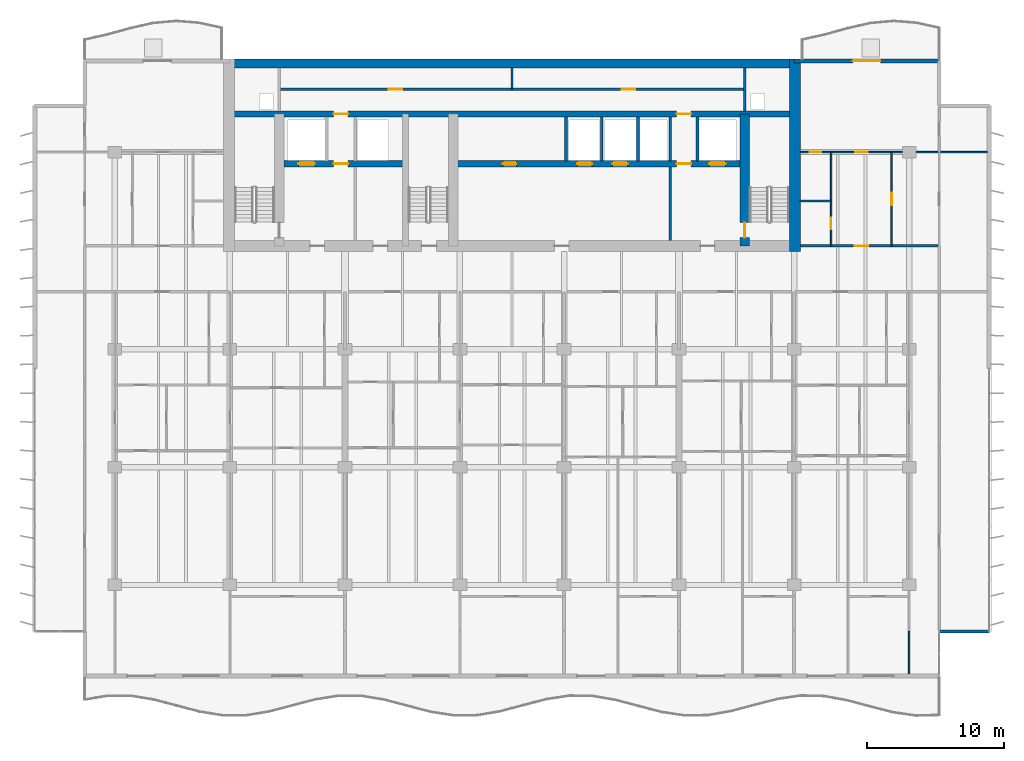
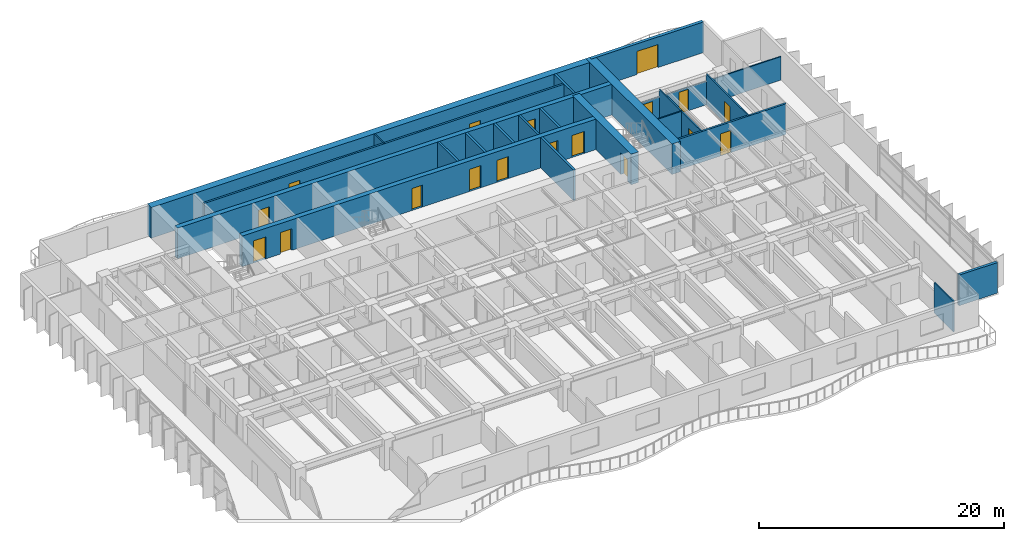
# One storey, part 13 of 19: 22 walls, 18 doors, 18 openings.
"""IFC4 building model written with IfcOpenShell, lengths in metres."""

from ifc_helpers import new_model, si_unit, direction, frame, frame_2d, origin, place, context, subcontext, project, spatial, rectangle, extrude, material, layer, layer_set, type_object, element, fill, save


model = new_model("IFC4")

# Units and contexts
model_context = context("Model", 3, precision=1e-05, world=origin(), true_north=direction((0.0, 1.0)))
body_context = subcontext(model_context, "Body", "Model", "MODEL_VIEW")
ifc_project = project(units=[si_unit("LENGTHUNIT", "METRE"), si_unit("AREAUNIT", "SQUARE_METRE"), si_unit("VOLUMEUNIT", "CUBIC_METRE"), si_unit("PLANEANGLEUNIT", "RADIAN"), si_unit("MASSUNIT", "GRAM", prefix="KILO")], contexts=[model_context])

# Site, building, storey
site_placement = place(None, origin())
site = spatial("IfcSite", under=ifc_project, at=site_placement, CompositionType="ELEMENT")
building_placement = place(site_placement, origin())
building = spatial("IfcBuilding", under=site, at=building_placement, Name="Caelmar Bay Residences", CompositionType="ELEMENT")
storey_placement = place(building_placement, frame((0.0, 0.0, 115.800048828125)))
storey = spatial("IfcBuildingStorey", under=building, at=storey_placement, Name="L31", CompositionType="ELEMENT", Elevation=115.800048828125)

# Wall, opening, door
ifc_material_1 = material(Name="Concrete f'c 55 MPa (8,000 psi)", Category="concrete")
ifc_layer_1 = layer(ifc_material_1, 0.699951171875)
ifc_layer_set_1 = layer_set([ifc_layer_1], Name="Concrete f'c 55 MPa (8,000 psi)")
wall_type_1 = type_object("IfcWallType", Name="SW-COR-700", PredefinedType="SHEAR", material=ifc_layer_set_1)
wall_1_placement = place(storey_placement, frame((55.89990234375, 36.949951171875, 0.0), z_axis=(0.0, 0.0, 1.0), x_axis=(0.0, 1.0, 0.0)))
wall_1 = element("IfcWall", 1, at=wall_1_placement, inside=storey, type_object=wall_type_1, Name="L31 Core Structural Web Wall ST2W", PredefinedType="SHEAR", context=body_context, shape_type="SweptSolid", body=[
    extrude(rectangle(XDim=9.625, YDim=0.699951171875, at=frame_2d((4.8125, 0.0))), origin(), (0.0, 0.0, 1.0), 3.050048828125),
])
opening_1_placement = place(wall_1_placement, frame((0.60009765625, 0.0, 0.0)))
opening_1 = element("IfcOpeningElement", 2, at=opening_1_placement, cuts=wall_1, Name="Opening D-L31-110", PredefinedType="OPENING", context=body_context, shape_type="SweptSolid", body=[
    extrude(rectangle(XDim=1.10009765625, YDim=2.14990234375, at=frame_2d((0.550048828125, 1.074951171875))), frame((0.0, 0.35986328125, 0.0), z_axis=(0.0, -1.0, 0.0), x_axis=(1.0, 0.0, 0.0)), (0.0, 0.0, 1.0), 0.719970703125),
])
ifc_material_2 = material(Name="Fire-rated steel and walnut architectural door assembly", Category="steel")
ifc_layer_2 = layer(ifc_material_2, 0.050048828125)
ifc_layer_set_2 = layer_set([ifc_layer_2], Name="Fire-rated steel and walnut architectural door assembly")
door_type_1 = type_object("IfcDoorType", Name="D-STAIR-1100", OperationType="NOTDEFINED", PredefinedType="DOOR", material=ifc_layer_set_2)
door_1_placement = place(opening_1_placement, origin())
door_1 = element("IfcDoor", 3, at=door_1_placement, inside=storey, type_object=door_type_1, Name="L31 Firefighting Lobby East Door", OperationType="SINGLE_SWING_LEFT", OverallHeight=2.14990234375, OverallWidth=1.10009765625, PredefinedType="DOOR", context=body_context, shape_type="SweptSolid", body=[
    extrude(rectangle(XDim=1.10009765625, YDim=2.14990234375, at=frame_2d((0.550048828125, 1.074951171875))), frame((0.0, 0.02490234375, 0.0), z_axis=(0.0, -1.0, 0.0), x_axis=(1.0, 0.0, 0.0)), (0.0, 0.0, 1.0), 0.050048828125),
])
fill(opening_1, door_1)

# Walls
ifc_material_3 = material(Name="Concrete f'c 70 MPa (10,000 psi)", Category="concrete")
ifc_layer_3 = layer(ifc_material_3, 0.800048828125)
ifc_layer_set_3 = layer_set([ifc_layer_3], Name="Concrete f'c 70 MPa (10,000 psi)")
wall_type_2 = type_object("IfcWallType", Name="SW-COR-800", PredefinedType="SHEAR", material=ifc_layer_set_3)
wall_2_placement = place(storey_placement, frame((59.550048828125, 36.550048828125, 0.0), z_axis=(0.0, 0.0, 1.0), x_axis=(0.0, 1.0, 0.0)))
element("IfcWall", 4, at=wall_2_placement, inside=storey, type_object=wall_type_2, Name="L31 Rear Core East Shear Wall", PredefinedType="SHEAR", context=body_context, shape_type="SweptSolid", body=[
    extrude(rectangle(XDim=14.050048828125, YDim=0.800048828125, at=frame_2d((7.02490234375, 0.0))), origin(), (0.0, 0.0, 1.0), 3.050048828125),
])
ifc_layer_4 = layer(ifc_material_1, 0.64990234375)
ifc_layer_set_4 = layer_set([ifc_layer_4], Name="Concrete f'c 55 MPa (8,000 psi)")
wall_type_3 = type_object("IfcWallType", Name="SW-CORN-650", PredefinedType="SHEAR", material=ifc_layer_set_4)
wall_3_placement = place(storey_placement, frame((17.85009765625, 50.27490234375, 0.0), z_axis=(0.0, 0.0, 1.0), x_axis=(1.0, 0.0, 0.0)))
element("IfcWall", 5, at=wall_3_placement, inside=storey, type_object=wall_type_3, Name="L31 Rear Core North Shear Wall", PredefinedType="SHEAR", context=body_context, shape_type="SweptSolid", body=[
    extrude(rectangle(XDim=42.099853515625, YDim=0.64990234375, at=frame_2d((21.0498046875, 0.0))), origin(), (0.0, 0.0, 1.0), 3.050048828125),
])

# Wall, openings, doors
ifc_layer_5 = layer(ifc_material_3, 0.449951171875)
ifc_layer_set_5 = layer_set([ifc_layer_5], Name="Concrete f'c 70 MPa (10,000 psi)")
wall_type_4 = type_object("IfcWallType", Name="SW-WEB-450", PredefinedType="SHEAR", material=ifc_layer_set_5)
wall_4_placement = place(storey_placement, frame((22.25, 42.949951171875, 0.0), z_axis=(0.0, 0.0, 1.0), x_axis=(1.0, 0.0, 0.0)))
wall_4 = element("IfcWall", 6, at=wall_4_placement, inside=storey, type_object=wall_type_4, Name="L31 Core Structural Web Wall LFR", PredefinedType="SHEAR", context=body_context, shape_type="SweptSolid", body=[
    extrude(rectangle(XDim=33.300048828125, YDim=0.449951171875, at=frame_2d((16.64990234375, 0.0))), origin(), (0.0, 0.0, 1.0), 3.050048828125),
])
opening_2_placement = place(wall_4_placement, frame((1.050048828125, 0.0, 0.0)))
opening_2 = element("IfcOpeningElement", 7, at=opening_2_placement, cuts=wall_4, Name="Opening LD2", PredefinedType="OPENING", context=body_context, shape_type="SweptSolid", body=[
    extrude(rectangle(XDim=1.199951171875, YDim=2.199951171875, at=frame_2d((0.60009765625, 1.10009765625))), frame((0.0, 0.23486328125, 0.0), z_axis=(0.0, -1.0, 0.0), x_axis=(1.0, 0.0, 0.0)), (0.0, 0.0, 1.0), 0.469970703125),
])
opening_3_placement = place(wall_4_placement, frame((31.050048828125, 0.0, 0.0)))
opening_3 = element("IfcOpeningElement", 8, at=opening_3_placement, cuts=wall_4, Name="Opening LD2", PredefinedType="OPENING", context=body_context, shape_type="SweptSolid", body=[
    extrude(rectangle(XDim=1.199951171875, YDim=2.199951171875, at=frame_2d((0.60009765625, 1.10009765625))), frame((0.0, 0.23486328125, 0.0), z_axis=(0.0, -1.0, 0.0), x_axis=(1.0, 0.0, 0.0)), (0.0, 0.0, 1.0), 0.469970703125),
])
opening_4_placement = place(wall_4_placement, frame((21.39990234375, 0.0, 0.0)))
opening_4 = element("IfcOpeningElement", 9, at=opening_4_placement, cuts=wall_4, Name="Opening LD1", PredefinedType="OPENING", context=body_context, shape_type="SweptSolid", body=[
    extrude(rectangle(XDim=1.10009765625, YDim=2.199951171875, at=frame_2d((0.550048828125, 1.10009765625))), frame((0.0, 0.23486328125, 0.0), z_axis=(0.0, -1.0, 0.0), x_axis=(1.0, 0.0, 0.0)), (0.0, 0.0, 1.0), 0.469970703125),
])
opening_5_placement = place(wall_4_placement, frame((24.0, 0.0, 0.0)))
opening_5 = element("IfcOpeningElement", 10, at=opening_5_placement, cuts=wall_4, Name="Opening LD1", PredefinedType="OPENING", context=body_context, shape_type="SweptSolid", body=[
    extrude(rectangle(XDim=1.10009765625, YDim=2.199951171875, at=frame_2d((0.550048828125, 1.10009765625))), frame((0.0, 0.23486328125, 0.0), z_axis=(0.0, -1.0, 0.0), x_axis=(1.0, 0.0, 0.0)), (0.0, 0.0, 1.0), 0.469970703125),
])
opening_6_placement = place(wall_4_placement, frame((3.625, 0.0, 0.0)))
opening_6 = element("IfcOpeningElement", 11, at=opening_6_placement, cuts=wall_4, Name="Opening D-L31-108", PredefinedType="OPENING", context=body_context, shape_type="SweptSolid", body=[
    extrude(rectangle(XDim=1.050048828125, YDim=2.14990234375, at=frame_2d((0.52490234375, 1.074951171875))), frame((0.0, 0.23486328125, 0.0), z_axis=(0.0, -1.0, 0.0), x_axis=(1.0, 0.0, 0.0)), (0.0, 0.0, 1.0), 0.469970703125),
])
opening_7_placement = place(wall_4_placement, frame((28.675048828125, 0.0, 0.0)))
opening_7 = element("IfcOpeningElement", 12, at=opening_7_placement, cuts=wall_4, Name="Opening D-L31-111", PredefinedType="OPENING", context=body_context, shape_type="SweptSolid", body=[
    extrude(rectangle(XDim=1.050048828125, YDim=2.14990234375, at=frame_2d((0.52490234375, 1.074951171875))), frame((0.0, 0.23486328125, 0.0), z_axis=(0.0, -1.0, 0.0), x_axis=(1.0, 0.0, 0.0)), (0.0, 0.0, 1.0), 0.469970703125),
])
opening_8_placement = place(wall_4_placement, frame((15.97509765625, 0.0, 0.0)))
opening_8 = element("IfcOpeningElement", 13, at=opening_8_placement, cuts=wall_4, Name="Opening D-L31-114", PredefinedType="OPENING", context=body_context, shape_type="SweptSolid", body=[
    extrude(rectangle(XDim=1.0, YDim=2.199951171875, at=frame_2d((0.5, 1.10009765625))), frame((0.0, 0.23486328125, 0.0), z_axis=(0.0, -1.0, 0.0), x_axis=(1.0, 0.0, 0.0)), (0.0, 0.0, 1.0), 0.469970703125),
])
ifc_layer_6 = layer(ifc_material_2, 0.050048828125)
ifc_layer_set_6 = layer_set([ifc_layer_6], Name="Fire-rated steel and walnut architectural door assembly")
door_type_2 = type_object("IfcDoorType", Name="D-FSAE-1050", OperationType="NOTDEFINED", PredefinedType="DOOR", material=ifc_layer_set_6)
door_2_placement = place(opening_6_placement, origin())
door_2 = element("IfcDoor", 14, at=door_2_placement, inside=storey, type_object=door_type_2, Name="L31 Firefighting Lobby West Door", OperationType="SINGLE_SWING_LEFT", OverallHeight=2.14990234375, OverallWidth=1.050048828125, PredefinedType="DOOR", context=body_context, shape_type="SweptSolid", body=[
    extrude(rectangle(XDim=1.050048828125, YDim=2.14990234375, at=frame_2d((0.52490234375, 1.074951171875))), frame((0.0, 0.02490234375, 0.0), z_axis=(0.0, -1.0, 0.0), x_axis=(1.0, 0.0, 0.0)), (0.0, 0.0, 1.0), 0.050048828125),
])
fill(opening_6, door_2)
door_3_placement = place(opening_7_placement, origin())
door_3 = element("IfcDoor", 15, at=door_3_placement, inside=storey, type_object=door_type_2, Name="L31 Firefighting Lobby East Door", OperationType="SINGLE_SWING_RIGHT", OverallHeight=2.14990234375, OverallWidth=1.050048828125, PredefinedType="DOOR", context=body_context, shape_type="SweptSolid", body=[
    extrude(rectangle(XDim=1.050048828125, YDim=2.14990234375, at=frame_2d((0.52490234375, 1.074951171875))), frame((0.0, 0.02490234375, 0.0), z_axis=(0.0, -1.0, 0.0), x_axis=(1.0, 0.0, 0.0)), (0.0, 0.0, 1.0), 0.050048828125),
])
fill(opening_7, door_3)
ifc_material_4 = material(Name="Brushed bronze stainless-steel fire-rated lift landing doors", Category="steel")
ifc_layer_7 = layer(ifc_material_4, 0.050048828125)
ifc_layer_set_7 = layer_set([ifc_layer_7], Name="Brushed bronze stainless-steel fire-rated lift landing doors")
door_type_3 = type_object("IfcDoorType", Name="D-LND-1100", OperationType="DOUBLE_DOOR_SLIDING", PredefinedType="DOOR", material=ifc_layer_set_7)
door_4_placement = place(opening_4_placement, origin())
door_4 = element("IfcDoor", 16, at=door_4_placement, inside=storey, type_object=door_type_3, Name="L31 LP4 Sliding Landing Door", OperationType="DOUBLE_DOOR_SLIDING", OverallHeight=2.199951171875, OverallWidth=1.10009765625, PredefinedType="DOOR", context=body_context, shape_type="SweptSolid", body=[
    extrude(rectangle(XDim=1.10009765625, YDim=2.199951171875, at=frame_2d((0.550048828125, 1.10009765625))), frame((0.0, 0.02490234375, 0.0), z_axis=(0.0, -1.0, 0.0), x_axis=(1.0, 0.0, 0.0)), (0.0, 0.0, 1.0), 0.050048828125),
])
fill(opening_4, door_4)
door_5_placement = place(opening_5_placement, origin())
door_5 = element("IfcDoor", 17, at=door_5_placement, inside=storey, type_object=door_type_3, Name="L31 LP5 Sliding Landing Door", OperationType="DOUBLE_DOOR_SLIDING", OverallHeight=2.199951171875, OverallWidth=1.10009765625, PredefinedType="DOOR", context=body_context, shape_type="SweptSolid", body=[
    extrude(rectangle(XDim=1.10009765625, YDim=2.199951171875, at=frame_2d((0.550048828125, 1.10009765625))), frame((0.0, 0.02490234375, 0.0), z_axis=(0.0, -1.0, 0.0), x_axis=(1.0, 0.0, 0.0)), (0.0, 0.0, 1.0), 0.050048828125),
])
fill(opening_5, door_5)
ifc_material_5 = material(Name="Brushed stainless-steel FSAE sliding landing door", Category="steel")
ifc_layer_8 = layer(ifc_material_5, 0.050048828125)
ifc_layer_set_8 = layer_set([ifc_layer_8], Name="Brushed stainless-steel FSAE sliding landing door")
door_type_4 = type_object("IfcDoorType", Name="D-LND-1200", OperationType="DOUBLE_DOOR_SLIDING", PredefinedType="DOOR", material=ifc_layer_set_8)
door_6_placement = place(opening_2_placement, origin())
door_6 = element("IfcDoor", 18, at=door_6_placement, inside=storey, type_object=door_type_4, Name="L31 LF1 Sliding Landing Door", OperationType="DOUBLE_DOOR_SLIDING", OverallHeight=2.199951171875, OverallWidth=1.199951171875, PredefinedType="DOOR", context=body_context, shape_type="SweptSolid", body=[
    extrude(rectangle(XDim=1.199951171875, YDim=2.199951171875, at=frame_2d((0.60009765625, 1.10009765625))), frame((0.0, 0.02490234375, 0.0), z_axis=(0.0, -1.0, 0.0), x_axis=(1.0, 0.0, 0.0)), (0.0, 0.0, 1.0), 0.050048828125),
])
fill(opening_2, door_6)
door_7_placement = place(opening_3_placement, origin())
door_7 = element("IfcDoor", 19, at=door_7_placement, inside=storey, type_object=door_type_4, Name="L31 LF2 Sliding Landing Door", OperationType="DOUBLE_DOOR_SLIDING", OverallHeight=2.199951171875, OverallWidth=1.199951171875, PredefinedType="DOOR", context=body_context, shape_type="SweptSolid", body=[
    extrude(rectangle(XDim=1.199951171875, YDim=2.199951171875, at=frame_2d((0.60009765625, 1.10009765625))), frame((0.0, 0.02490234375, 0.0), z_axis=(0.0, -1.0, 0.0), x_axis=(1.0, 0.0, 0.0)), (0.0, 0.0, 1.0), 0.050048828125),
])
fill(opening_3, door_7)
ifc_layer_9 = layer(ifc_material_2, 0.050048828125)
ifc_layer_set_9 = layer_set([ifc_layer_9], Name="Fire-rated steel and walnut architectural door assembly")
door_type_5 = type_object("IfcDoorType", Name="D-UNIT-1000", OperationType="NOTDEFINED", PredefinedType="DOOR", material=ifc_layer_set_9)
door_8_placement = place(opening_8_placement, origin())
door_8 = element("IfcDoor", 20, at=door_8_placement, inside=storey, type_object=door_type_5, Name="L31 Quiet Reading Study Door", OperationType="SINGLE_SWING_LEFT", OverallHeight=2.199951171875, OverallWidth=1.0, PredefinedType="DOOR", context=body_context, shape_type="SweptSolid", body=[
    extrude(rectangle(XDim=1.0, YDim=2.199951171875, at=frame_2d((0.5, 1.10009765625))), frame((0.0, 0.02490234375, 0.0), z_axis=(0.0, -1.0, 0.0), x_axis=(1.0, 0.0, 0.0)), (0.0, 0.0, 1.0), 0.050048828125),
])
fill(opening_8, door_8)

wall_5_placement = place(storey_placement, frame((18.25, 46.574951171875, 0.0), z_axis=(0.0, 0.0, 1.0), x_axis=(1.0, 0.0, 0.0)))
wall_5 = element("IfcWall", 21, at=wall_5_placement, inside=storey, type_object=wall_type_4, Name="L31 Core Structural Web Wall SRVS", PredefinedType="SHEAR", context=body_context, shape_type="SweptSolid", body=[
    extrude(rectangle(XDim=41.300048828125, YDim=0.449951171875, at=frame_2d((20.64990234375, 0.0))), origin(), (0.0, 0.0, 1.0), 3.050048828125),
])
opening_9_placement = place(wall_5_placement, frame((7.625, 0.0, 0.0)))
opening_9 = element("IfcOpeningElement", 22, at=opening_9_placement, cuts=wall_5, Name="Opening D-L31-115", PredefinedType="OPENING", context=body_context, shape_type="SweptSolid", body=[
    extrude(rectangle(XDim=1.050048828125, YDim=2.14990234375, at=frame_2d((0.52490234375, 1.074951171875))), frame((0.0, 0.23486328125, 0.0), z_axis=(0.0, -1.0, 0.0), x_axis=(1.0, 0.0, 0.0)), (0.0, 0.0, 1.0), 0.469970703125),
])
opening_10_placement = place(wall_5_placement, frame((32.675048828125, 0.0, 0.0)))
opening_10 = element("IfcOpeningElement", 23, at=opening_10_placement, cuts=wall_5, Name="Opening D-L31-116", PredefinedType="OPENING", context=body_context, shape_type="SweptSolid", body=[
    extrude(rectangle(XDim=1.050048828125, YDim=2.14990234375, at=frame_2d((0.52490234375, 1.074951171875))), frame((0.0, 0.23486328125, 0.0), z_axis=(0.0, -1.0, 0.0), x_axis=(1.0, 0.0, 0.0)), (0.0, 0.0, 1.0), 0.469970703125),
])
door_9_placement = place(opening_9_placement, origin())
door_9 = element("IfcDoor", 24, at=door_9_placement, inside=storey, type_object=door_type_2, Name="L31 Core Service Corridor Door", OperationType="SINGLE_SWING_RIGHT", OverallHeight=2.14990234375, OverallWidth=1.050048828125, PredefinedType="DOOR", context=body_context, shape_type="SweptSolid", body=[
    extrude(rectangle(XDim=1.050048828125, YDim=2.14990234375, at=frame_2d((0.52490234375, 1.074951171875))), frame((0.0, 0.02490234375, 0.0), z_axis=(0.0, -1.0, 0.0), x_axis=(1.0, 0.0, 0.0)), (0.0, 0.0, 1.0), 0.050048828125),
])
fill(opening_9, door_9)
door_10_placement = place(opening_10_placement, origin())
door_10 = element("IfcDoor", 25, at=door_10_placement, inside=storey, type_object=door_type_2, Name="L31 Core Service Corridor Door", OperationType="SINGLE_SWING_LEFT", OverallHeight=2.14990234375, OverallWidth=1.050048828125, PredefinedType="DOOR", context=body_context, shape_type="SweptSolid", body=[
    extrude(rectangle(XDim=1.050048828125, YDim=2.14990234375, at=frame_2d((0.52490234375, 1.074951171875))), frame((0.0, 0.02490234375, 0.0), z_axis=(0.0, -1.0, 0.0), x_axis=(1.0, 0.0, 0.0)), (0.0, 0.0, 1.0), 0.050048828125),
])
fill(opening_10, door_10)

# Wall, opening, door
ifc_material_6 = material(Name="Double-stud acoustic fire-rated gypsum partition 180 mm")
ifc_layer_10 = layer(ifc_material_6, 0.179931640625)
ifc_layer_set_10 = layer_set([ifc_layer_10], Name="Double-stud acoustic fire-rated gypsum partition 180 mm")
wall_type_5 = type_object("IfcWallType", Name="W-COR-200", PredefinedType="PARTITIONING", material=ifc_layer_set_10)
wall_6_placement = place(storey_placement, frame((59.955078125, 36.949951171875, 0.0), z_axis=(0.0, 0.0, 1.0), x_axis=(1.0, 0.0, 0.0)))
wall_6 = element("IfcWall", 26, at=wall_6_placement, inside=storey, type_object=wall_type_5, Name="L31 Partition Wall H145", PredefinedType="PARTITIONING", context=body_context, shape_type="SweptSolid", body=[
    extrude(rectangle(XDim=10.14501953125, YDim=0.179931640625, at=frame_2d((5.072509765625, 0.0))), origin(), (0.0, 0.0, 1.0), 3.050048828125),
])
opening_11_placement = place(wall_6_placement, frame((3.95703125, 0.0, 0.0)))
opening_11 = element("IfcOpeningElement", 27, at=opening_11_placement, cuts=wall_6, Name="Opening D-L31-172", PredefinedType="OPENING", context=body_context, shape_type="SweptSolid", body=[
    extrude(rectangle(XDim=1.0, YDim=2.199951171875, at=frame_2d((0.5, 1.10009765625))), frame((0.0, 0.099853515625, 0.0), z_axis=(0.0, -1.0, 0.0), x_axis=(1.0, 0.0, 0.0)), (0.0, 0.0, 1.0), 0.199951171875),
])
door_11_placement = place(opening_11_placement, origin())
door_11 = element("IfcDoor", 28, at=door_11_placement, inside=storey, type_object=door_type_5, Name="L31 Residence EA Kitchen Door", OperationType="SINGLE_SWING_LEFT", OverallHeight=2.199951171875, OverallWidth=1.0, PredefinedType="DOOR", context=body_context, shape_type="SweptSolid", body=[
    extrude(rectangle(XDim=1.0, YDim=2.199951171875, at=frame_2d((0.5, 1.10009765625))), frame((0.0, 0.02490234375, 0.0), z_axis=(0.0, -1.0, 0.0), x_axis=(1.0, 0.0, 0.0)), (0.0, 0.0, 1.0), 0.050048828125),
])
fill(opening_11, door_11)

# Wall, openings, doors
wall_7_placement = place(storey_placement, frame((21.89990234375, 48.39990234375, 0.0), z_axis=(0.0, 0.0, 1.0), x_axis=(1.0, 0.0, 0.0)))
wall_7 = element("IfcWall", 29, at=wall_7_placement, inside=storey, type_object=wall_type_5, Name="L31 Partition Wall H150", PredefinedType="PARTITIONING", context=body_context, shape_type="SweptSolid", body=[
    extrude(rectangle(XDim=34.0, YDim=0.179931640625, at=frame_2d((17.0, 0.0))), origin(), (0.0, 0.0, 1.0), 3.050048828125),
])
opening_12_placement = place(wall_7_placement, frame((8.0, 0.0, 0.0)))
opening_12 = element("IfcOpeningElement", 30, at=opening_12_placement, cuts=wall_7, Name="Opening D-L31-117", PredefinedType="OPENING", context=body_context, shape_type="SweptSolid", body=[
    extrude(rectangle(XDim=1.0, YDim=2.199951171875, at=frame_2d((0.5, 1.10009765625))), frame((0.0, 0.099853515625, 0.0), z_axis=(0.0, -1.0, 0.0), x_axis=(1.0, 0.0, 0.0)), (0.0, 0.0, 1.0), 0.199951171875),
])
opening_13_placement = place(wall_7_placement, frame((25.0, 0.0, 0.0)))
opening_13 = element("IfcOpeningElement", 31, at=opening_13_placement, cuts=wall_7, Name="Opening D-L31-118", PredefinedType="OPENING", context=body_context, shape_type="SweptSolid", body=[
    extrude(rectangle(XDim=1.0, YDim=2.199951171875, at=frame_2d((0.5, 1.10009765625))), frame((0.0, 0.099853515625, 0.0), z_axis=(0.0, -1.0, 0.0), x_axis=(1.0, 0.0, 0.0)), (0.0, 0.0, 1.0), 0.199951171875),
])
door_12_placement = place(opening_12_placement, origin())
door_12 = element("IfcDoor", 32, at=door_12_placement, inside=storey, type_object=door_type_5, Name="L31 Building Management Office Door", OperationType="SINGLE_SWING_RIGHT", OverallHeight=2.199951171875, OverallWidth=1.0, PredefinedType="DOOR", context=body_context, shape_type="SweptSolid", body=[
    extrude(rectangle(XDim=1.0, YDim=2.199951171875, at=frame_2d((0.5, 1.10009765625))), frame((0.0, 0.02490234375, 0.0), z_axis=(0.0, -1.0, 0.0), x_axis=(1.0, 0.0, 0.0)), (0.0, 0.0, 1.0), 0.050048828125),
])
fill(opening_12, door_12)
door_13_placement = place(opening_13_placement, origin())
door_13 = element("IfcDoor", 33, at=door_13_placement, inside=storey, type_object=door_type_5, Name="L31 Concierge Operations Office Door", OperationType="SINGLE_SWING_LEFT", OverallHeight=2.199951171875, OverallWidth=1.0, PredefinedType="DOOR", context=body_context, shape_type="SweptSolid", body=[
    extrude(rectangle(XDim=1.0, YDim=2.199951171875, at=frame_2d((0.5, 1.10009765625))), frame((0.0, 0.02490234375, 0.0), z_axis=(0.0, -1.0, 0.0), x_axis=(1.0, 0.0, 0.0)), (0.0, 0.0, 1.0), 0.050048828125),
])
fill(opening_13, door_13)

# Wall
ifc_material_7 = material(Name="Precast concrete f'c 40 MPa (6,000 psi)", Category="concrete")
ifc_layer_11 = layer(ifc_material_7, 0.25)
ifc_layer_set_11 = layer_set([ifc_layer_11], Name="Precast concrete f'c 40 MPa (6,000 psi)")
wall_type_6 = type_object("IfcWallType", Name="W-EXT-250", PredefinedType="ELEMENTEDWALL", material=ifc_layer_set_11)
wall_8_placement = place(storey_placement, frame((70.10009765625, 8.800048828125, 0.0), z_axis=(0.0, 0.0, 1.0), x_axis=(1.0, 0.0, 0.0)))
element("IfcWall", 34, at=wall_8_placement, inside=storey, type_object=wall_type_6, Name="L31 SE Notch Return Wall", PredefinedType="ELEMENTEDWALL", context=body_context, shape_type="SweptSolid", body=[
    extrude(rectangle(XDim=3.64990234375, YDim=0.25, at=frame_2d((1.824951171875, 0.0))), origin(), (0.0, 0.0, 1.0), 3.050048828125),
])

# Wall, opening, door
ifc_layer_12 = layer(ifc_material_7, 0.300048828125)
ifc_layer_set_12 = layer_set([ifc_layer_12], Name="Precast concrete f'c 40 MPa (6,000 psi)")
wall_type_7 = type_object("IfcWallType", Name="W-EXT-300", PredefinedType="STANDARD", material=ifc_layer_set_12)
wall_9_placement = place(storey_placement, frame((59.5, 50.449951171875, 0.0), z_axis=(0.0, 0.0, 1.0), x_axis=(1.0, 0.0, 0.0)))
wall_9 = element("IfcWall", 35, at=wall_9_placement, inside=storey, type_object=wall_type_7, Name="L31 North-East Wing Exterior Wall", PredefinedType="STANDARD", context=body_context, shape_type="SweptSolid", body=[
    extrude(rectangle(XDim=10.60009765625, YDim=0.300048828125, at=frame_2d((5.300048828125, 0.0))), origin(), (0.0, 0.0, 1.0), 3.050048828125),
])
opening_14_placement = place(wall_9_placement, frame((4.300048828125, 0.0, 0.0)))
opening_14 = element("IfcOpeningElement", 36, at=opening_14_placement, cuts=wall_9, Name="Opening L31-BDNE", PredefinedType="OPENING", context=body_context, shape_type="SweptSolid", body=[
    extrude(rectangle(XDim=2.0, YDim=2.300048828125, at=frame_2d((1.0, 1.14990234375))), frame((0.0, 0.159912109375, 0.0), z_axis=(0.0, -1.0, 0.0), x_axis=(1.0, 0.0, 0.0)), (0.0, 0.0, 1.0), 0.320068359375),
])
ifc_material_8 = material(Name="Anodised bronze thermally broken sliding glass door", Category="glass")
ifc_layer_13 = layer(ifc_material_8, 0.050048828125)
ifc_layer_set_13 = layer_set([ifc_layer_13], Name="Anodised bronze thermally broken sliding glass door")
door_type_6 = type_object("IfcDoorType", Name="D-BAL-2000", OperationType="DOUBLE_DOOR_SLIDING", PredefinedType="DOOR", material=ifc_layer_set_13)
door_14_placement = place(opening_14_placement, origin())
door_14 = element("IfcDoor", 37, at=door_14_placement, inside=storey, type_object=door_type_6, Name="L31 North-East Balcony Door", OperationType="DOUBLE_DOOR_SLIDING", OverallHeight=2.300048828125, OverallWidth=2.0, PredefinedType="DOOR", context=body_context, shape_type="SweptSolid", body=[
    extrude(rectangle(XDim=2.0, YDim=2.300048828125, at=frame_2d((1.0, 1.14990234375))), frame((0.0, 0.02490234375, 0.0), z_axis=(0.0, -1.0, 0.0), x_axis=(1.0, 0.0, 0.0)), (0.0, 0.0, 1.0), 0.050048828125),
])
fill(opening_14, door_14)

# Walls
ifc_material_9 = material(Name="Fire-rated masonry and gypsum shaftliner assembly 200 mm", Category="masonry")
ifc_layer_14 = layer(ifc_material_9, 0.199951171875)
ifc_layer_set_14 = layer_set([ifc_layer_14], Name="Fire-rated masonry and gypsum shaftliner assembly 200 mm")
wall_type_8 = type_object("IfcWallType", Name="W-FSAE-200", PredefinedType="PARTITIONING", material=ifc_layer_set_14)
for number, where, z_axis, x_axis, name in (
    (38, (42.85009765625, 43.169921875, 0.0), (0.0, 0.0, 1.0), (0.0, 1.0, 0.0), "L31 Partition Wall V062"),
    (39, (45.449951171875, 43.169921875, 0.0), (0.0, 0.0, 1.0), (0.0, 1.0, 0.0), "L31 Partition Wall V063"),
    (40, (48.10009765625, 43.169921875, 0.0), (0.0, 0.0, 1.0), (0.0, 1.0, 0.0), "L31 Partition Wall V069"),
):
    element("IfcWall", number, at=place(storey_placement, frame(where, z_axis=z_axis, x_axis=x_axis)), inside=storey, type_object=wall_type_8, Name=name, PredefinedType="PARTITIONING", context=body_context, shape_type="SweptSolid", body=[
        extrude(rectangle(XDim=3.18505859375, YDim=0.199951171875, at=frame_2d((1.592529296875, 0.0))), origin(), (0.0, 0.0, 1.0), 3.050048828125),
    ])
wall_10_placement = place(storey_placement, frame((50.449951171875, 37.344970703125, 0.0), z_axis=(0.0, 0.0, 1.0), x_axis=(0.0, 1.0, 0.0)))
element("IfcWall", 41, at=wall_10_placement, inside=storey, type_object=wall_type_8, Name="L31 Partition Wall V073", PredefinedType="PARTITIONING", context=body_context, shape_type="SweptSolid", body=[
    extrude(rectangle(XDim=5.385009765625, YDim=0.199951171875, at=frame_2d((2.6923828125, 0.0))), origin(), (0.0, 0.0, 1.0), 3.050048828125),
])
for number, where, z_axis, x_axis, name in (
    (42, (50.449951171875, 43.169921875, 0.0), (0.0, 0.0, 1.0), (0.0, 1.0, 0.0), "L31 Partition Wall V074"),
    (43, (52.449951171875, 43.169921875, 0.0), (0.0, 0.0, 1.0), (0.0, 1.0, 0.0), "L31 Partition Wall V078"),
):
    element("IfcWall", number, at=place(storey_placement, frame(where, z_axis=z_axis, x_axis=x_axis)), inside=storey, type_object=wall_type_8, Name=name, PredefinedType="PARTITIONING", context=body_context, shape_type="SweptSolid", body=[
        extrude(rectangle(XDim=3.18505859375, YDim=0.199951171875, at=frame_2d((1.592529296875, 0.0))), origin(), (0.0, 0.0, 1.0), 3.050048828125),
    ])
wall_11_placement = place(storey_placement, frame((55.89990234375, 46.794921875, 0.0), z_axis=(0.0, 0.0, 1.0), x_axis=(0.0, 1.0, 0.0)))
element("IfcWall", 44, at=wall_11_placement, inside=storey, type_object=wall_type_8, Name="L31 Partition Wall V085", PredefinedType="PARTITIONING", context=body_context, shape_type="SweptSolid", body=[
    extrude(rectangle(XDim=3.16015625, YDim=0.199951171875, at=frame_2d((1.580078125, 0.0))), origin(), (0.0, 0.0, 1.0), 3.050048828125),
])
ifc_material_10 = material(Name="Acoustic metal-stud gypsum partition 120 mm")
ifc_layer_15 = layer(ifc_material_10, 0.1201171875)
ifc_layer_set_15 = layer_set([ifc_layer_15], Name="Acoustic metal-stud gypsum partition 120 mm")
wall_type_9 = type_object("IfcWallType", Name="W-PRT-120", PredefinedType="PARTITIONING", material=ifc_layer_set_15)
wall_12_placement = place(storey_placement, frame((38.89990234375, 48.39990234375, 0.0), z_axis=(0.0, 0.0, 1.0), x_axis=(0.0, 1.0, 0.0)))
element("IfcWall", 45, at=wall_12_placement, inside=storey, type_object=wall_type_9, Name="L31 Partition Wall V052", PredefinedType="PARTITIONING", context=body_context, shape_type="SweptSolid", body=[
    extrude(rectangle(XDim=1.55517578125, YDim=0.1201171875, at=frame_2d((0.777587890625, 0.0))), origin(), (0.0, 0.0, 1.0), 3.050048828125),
])

# Wall, opening, door
wall_13_placement = place(storey_placement, frame((62.199951171875, 36.949951171875, 0.0), z_axis=(0.0, 0.0, 1.0), x_axis=(0.0, 1.0, 0.0)))
wall_13 = element("IfcWall", 46, at=wall_13_placement, inside=storey, type_object=wall_type_9, Name="L31 Partition Wall V094", PredefinedType="PARTITIONING", context=body_context, shape_type="SweptSolid", body=[
    extrude(rectangle(XDim=6.85009765625, YDim=0.1201171875, at=frame_2d((3.425048828125, 0.0))), origin(), (0.0, 0.0, 1.0), 3.050048828125),
])
opening_15_placement = place(wall_13_placement, frame((1.218994140625, 0.0, 0.0)))
opening_15 = element("IfcOpeningElement", 47, at=opening_15_placement, cuts=wall_13, Name="Opening D-L31-174", PredefinedType="OPENING", context=body_context, shape_type="SweptSolid", body=[
    extrude(rectangle(XDim=0.85009765625, YDim=2.10009765625, at=frame_2d((0.425048828125, 1.050048828125))), frame((0.0, 0.070068359375, 0.0), z_axis=(0.0, -1.0, 0.0), x_axis=(1.0, 0.0, 0.0)), (0.0, 0.0, 1.0), 0.14013671875),
])
ifc_material_11 = material(Name="Solid walnut timber interior door leaf and frame", Category="wood")
ifc_layer_16 = layer(ifc_material_11, 0.050048828125)
ifc_layer_set_16 = layer_set([ifc_layer_16], Name="Solid walnut timber interior door leaf and frame")
door_type_7 = type_object("IfcDoorType", Name="D-BATH-850", OperationType="NOTDEFINED", PredefinedType="DOOR", material=ifc_layer_set_16)
door_15_placement = place(opening_15_placement, origin())
door_15 = element("IfcDoor", 48, at=door_15_placement, inside=storey, type_object=door_type_7, Name="L31 Residence EA Walk-In Closet Door", OperationType="SINGLE_SWING_LEFT", OverallHeight=2.10009765625, OverallWidth=0.85009765625, PredefinedType="DOOR", context=body_context, shape_type="SweptSolid", body=[
    extrude(rectangle(XDim=0.85009765625, YDim=2.10009765625, at=frame_2d((0.425048828125, 1.050048828125))), frame((0.0, 0.02490234375, 0.0), z_axis=(0.0, -1.0, 0.0), x_axis=(1.0, 0.0, 0.0)), (0.0, 0.0, 1.0), 0.050048828125),
])
fill(opening_15, door_15)

wall_14_placement = place(storey_placement, frame((66.6240234375, 36.949951171875, 0.0), z_axis=(0.0, 0.0, 1.0), x_axis=(0.0, 1.0, 0.0)))
wall_14 = element("IfcWall", 49, at=wall_14_placement, inside=storey, type_object=wall_type_9, Name="L31 Partition Wall V103", PredefinedType="PARTITIONING", context=body_context, shape_type="SweptSolid", body=[
    extrude(rectangle(XDim=6.85009765625, YDim=0.1201171875, at=frame_2d((3.425048828125, 0.0))), origin(), (0.0, 0.0, 1.0), 3.050048828125),
])
opening_16_placement = place(wall_14_placement, frame((2.97509765625, 0.0, 0.0)))
opening_16 = element("IfcOpeningElement", 50, at=opening_16_placement, cuts=wall_14, Name="Opening D-L31-171", PredefinedType="OPENING", context=body_context, shape_type="SweptSolid", body=[
    extrude(rectangle(XDim=0.89990234375, YDim=2.14990234375, at=frame_2d((0.449951171875, 1.074951171875))), frame((0.0, 0.070068359375, 0.0), z_axis=(0.0, -1.0, 0.0), x_axis=(1.0, 0.0, 0.0)), (0.0, 0.0, 1.0), 0.14013671875),
])
ifc_layer_17 = layer(ifc_material_11, 0.050048828125)
ifc_layer_set_17 = layer_set([ifc_layer_17], Name="Solid walnut timber interior door leaf and frame")
door_type_8 = type_object("IfcDoorType", Name="D-ROOM-900", OperationType="NOTDEFINED", PredefinedType="DOOR", material=ifc_layer_set_17)
door_16_placement = place(opening_16_placement, origin())
door_16 = element("IfcDoor", 51, at=door_16_placement, inside=storey, type_object=door_type_8, Name="L31 Residence EA Dining Room Door", OperationType="SINGLE_SWING_RIGHT", OverallHeight=2.14990234375, OverallWidth=0.89990234375, PredefinedType="DOOR", context=body_context, shape_type="SweptSolid", body=[
    extrude(rectangle(XDim=0.89990234375, YDim=2.14990234375, at=frame_2d((0.449951171875, 1.074951171875))), frame((0.0, 0.02490234375, 0.0), z_axis=(0.0, -1.0, 0.0), x_axis=(1.0, 0.0, 0.0)), (0.0, 0.0, 1.0), 0.050048828125),
])
fill(opening_16, door_16)

# Walls
wall_15_placement = place(storey_placement, frame((67.89990234375, 5.695068359375, 0.0), z_axis=(0.0, 0.0, 1.0), x_axis=(0.0, 1.0, 0.0)))
element("IfcWall", 52, at=wall_15_placement, inside=storey, type_object=wall_type_9, Name="L31 Partition Wall V104", PredefinedType="PARTITIONING", context=body_context, shape_type="SweptSolid", body=[
    extrude(rectangle(XDim=3.10498046875, YDim=0.1201171875, at=frame_2d((1.552490234375, 0.0))), origin(), (0.0, 0.0, 1.0), 3.050048828125),
])
wall_16_placement = place(storey_placement, frame((59.945068359375, 40.238037109375, 0.0), z_axis=(0.0, 0.0, 1.0), x_axis=(1.0, 0.0, 0.0)))
element("IfcWall", 53, at=wall_16_placement, inside=storey, type_object=wall_type_9, Name="L31 Partition Wall H147", PredefinedType="PARTITIONING", context=body_context, shape_type="SweptSolid", body=[
    extrude(rectangle(XDim=2.2548828125, YDim=0.1201171875, at=frame_2d((1.12744140625, 0.0))), origin(), (0.0, 0.0, 1.0), 3.050048828125),
])

# Wall, openings, doors
wall_17_placement = place(storey_placement, frame((59.945068359375, 43.800048828125, 0.0), z_axis=(0.0, 0.0, 1.0), x_axis=(1.0, 0.0, 0.0)))
wall_17 = element("IfcWall", 54, at=wall_17_placement, inside=storey, type_object=wall_type_9, Name="L31 Partition Wall H149", PredefinedType="PARTITIONING", context=body_context, shape_type="SweptSolid", body=[
    extrude(rectangle(XDim=13.659912109375, YDim=0.1201171875, at=frame_2d((6.830078125, 0.0))), origin(), (0.0, 0.0, 1.0), 2.3388671875),
])
opening_17_placement = place(wall_17_placement, frame((4.01708984375, 0.0, 0.0)))
opening_17 = element("IfcOpeningElement", 55, at=opening_17_placement, cuts=wall_17, Name="Opening D-L31-173", PredefinedType="OPENING", context=body_context, shape_type="SweptSolid", body=[
    extrude(rectangle(XDim=0.89990234375, YDim=2.14990234375, at=frame_2d((0.449951171875, 1.074951171875))), frame((0.0, 0.070068359375, 0.0), z_axis=(0.0, -1.0, 0.0), x_axis=(1.0, 0.0, 0.0)), (0.0, 0.0, 1.0), 0.14013671875),
])
opening_18_placement = place(wall_17_placement, frame((0.702392578125, 0.0, 0.0)))
opening_18 = element("IfcOpeningElement", 56, at=opening_18_placement, cuts=wall_17, Name="Opening D-L31-175", PredefinedType="OPENING", context=body_context, shape_type="SweptSolid", body=[
    extrude(rectangle(XDim=0.85009765625, YDim=2.10009765625, at=frame_2d((0.425048828125, 1.050048828125))), frame((0.0, 0.070068359375, 0.0), z_axis=(0.0, -1.0, 0.0), x_axis=(1.0, 0.0, 0.0)), (0.0, 0.0, 1.0), 0.14013671875),
])
door_17_placement = place(opening_18_placement, origin())
door_17 = element("IfcDoor", 57, at=door_17_placement, inside=storey, type_object=door_type_7, Name="L31 Residence EA Bathroom Door", OperationType="SINGLE_SWING_RIGHT", OverallHeight=2.10009765625, OverallWidth=0.85009765625, PredefinedType="DOOR", context=body_context, shape_type="SweptSolid", body=[
    extrude(rectangle(XDim=0.85009765625, YDim=2.10009765625, at=frame_2d((0.425048828125, 1.050048828125))), frame((0.0, 0.02490234375, 0.0), z_axis=(0.0, -1.0, 0.0), x_axis=(1.0, 0.0, 0.0)), (0.0, 0.0, 1.0), 0.050048828125),
])
fill(opening_18, door_17)
door_18_placement = place(opening_17_placement, origin())
door_18 = element("IfcDoor", 58, at=door_18_placement, inside=storey, type_object=door_type_8, Name="L31 Residence EA Studio Living and Sleeping Room Door", OperationType="SINGLE_SWING_RIGHT", OverallHeight=2.14990234375, OverallWidth=0.89990234375, PredefinedType="DOOR", context=body_context, shape_type="SweptSolid", body=[
    extrude(rectangle(XDim=0.89990234375, YDim=2.14990234375, at=frame_2d((0.449951171875, 1.074951171875))), frame((0.0, 0.02490234375, 0.0), z_axis=(0.0, -1.0, 0.0), x_axis=(1.0, 0.0, 0.0)), (0.0, 0.0, 1.0), 0.050048828125),
])
fill(opening_17, door_18)

save(model, "model.ifc")
